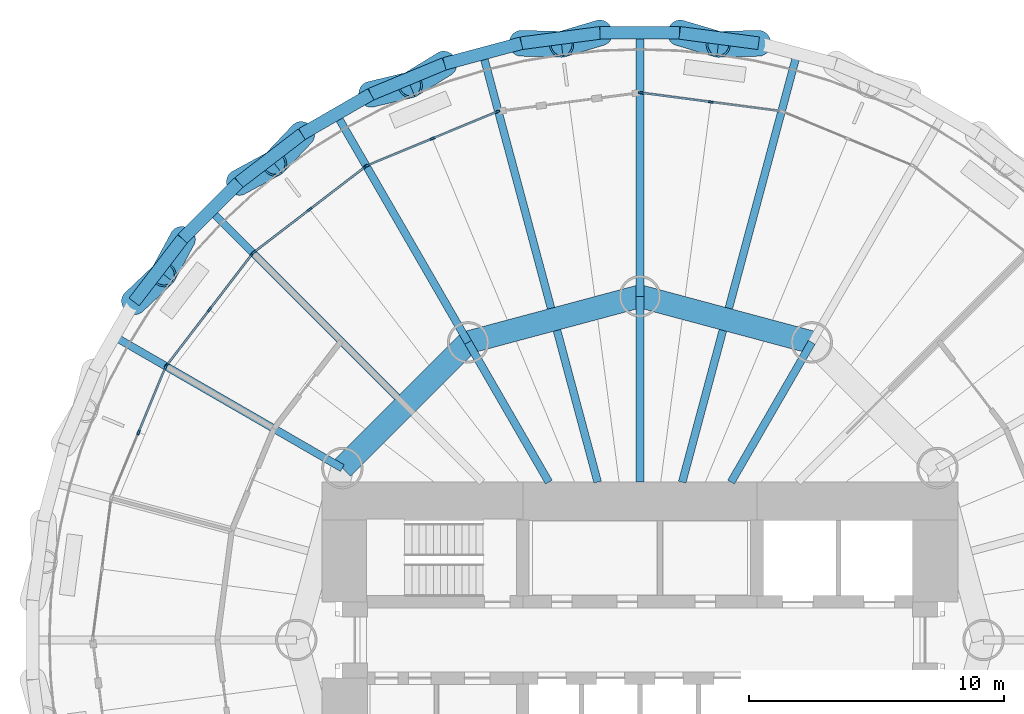
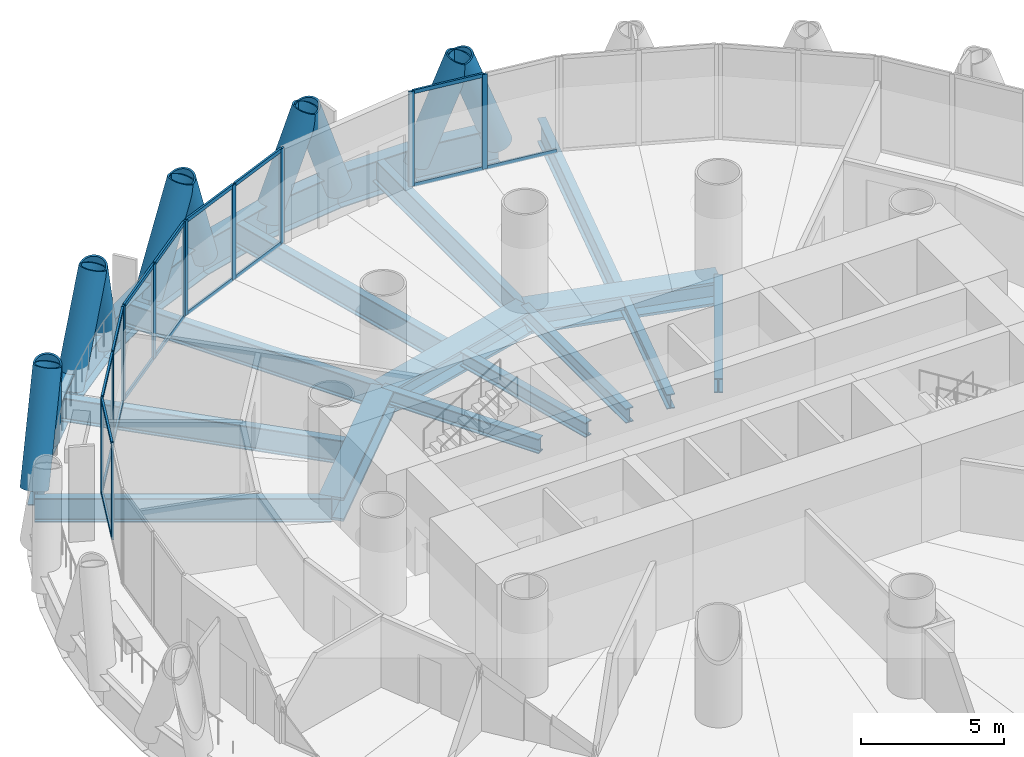
# One storey, part 6 of 15: 40 members, 23 beams, 5 elements without a shape of their own.
"""IFC4 building model written with IfcOpenShell, lengths in metres."""

from ifc_helpers import new_model, si_unit, direction, frame, origin, origin_2d, place, context, subcontext, project, spatial, rectangle, hollow_circle, i_section, extrude, material, material_profile, profile_set, type_object, element, aggregate, save


model = new_model("IFC4")

# Units and contexts
model_context = context("Model", 3, precision=1e-05, world=origin(), true_north=direction((0.0, 1.0)))
body_context = subcontext(model_context, "Body", "Model", "MODEL_VIEW")
ifc_project = project(units=[si_unit("LENGTHUNIT", "METRE"), si_unit("AREAUNIT", "SQUARE_METRE"), si_unit("VOLUMEUNIT", "CUBIC_METRE"), si_unit("PLANEANGLEUNIT", "RADIAN"), si_unit("MASSUNIT", "GRAM", prefix="KILO")], contexts=[model_context])

# Site, building, storey
site_placement = place(None, origin())
site = spatial("IfcSite", under=ifc_project, at=site_placement, CompositionType="ELEMENT")
building_placement = place(site_placement, origin())
building = spatial("IfcBuilding", under=site, at=building_placement, Name="Qaws Media Tower", CompositionType="ELEMENT")
storey_placement = place(building_placement, frame((0.0, 0.0, 198.199951171875)))
storey = spatial("IfcBuildingStorey", under=building, at=storey_placement, Name="L45", CompositionType="ELEMENT", Elevation=198.199951171875)

# Curtain wall, members
ifc_material_1 = material(Name="Aluminium and clear glass", Category="aluminium")
curtain_wall_type = type_object("IfcCurtainWallType", Name="Unitised curtain wall CW-C", PredefinedType="NOTDEFINED", material=ifc_material_1)
curtain_wall_1_placement = place(storey_placement, origin())
curtain_wall_1 = element("IfcCurtainWall", 1, at=curtain_wall_1_placement, inside=storey, type_object=curtain_wall_type, Name="CWC curtain wall L45-06", PredefinedType="NOTDEFINED")
ifc_material_2 = material(Name="Aluminium mullion", Category="aluminium")
ifc_material_profile_1 = material_profile(ifc_material_2, rectangle(XDim=0.080078125, YDim=0.199951171875, at=origin_2d()), Name="80x200")
ifc_profile_set_1 = profile_set([ifc_material_profile_1], Name="Aluminium mullion")
member_type_1 = type_object("IfcMemberType", Name="Curtain wall mullion 80x200", PredefinedType="MULLION", material=ifc_profile_set_1)
member_1_placement = place(storey_placement, frame((62.7822265625, 71.1337890625, 0.0), z_axis=(0.0, 0.0, 1.0), x_axis=(-0.130526249496, -0.991444853833, 0.0)))
member_1 = element("IfcMember", 2, at=member_1_placement, type_object=member_type_1, Name="CWC mullion 2", PredefinedType="MULLION", context=body_context, shape_type="SweptSolid", body=[
    extrude(rectangle(XDim=0.080078125, YDim=0.199951171875, at=origin_2d()), origin(), (0.0, 0.0, 1.0), 4.0400390625),
])
member_2_placement = place(storey_placement, frame((60.03955078125, 71.494873046875, 0.0), z_axis=(0.0, 0.0, 1.0), x_axis=(-0.130526249496, -0.991444853833, 0.0)))
member_2 = element("IfcMember", 3, at=member_2_placement, type_object=member_type_1, Name="CWC mullion 3", PredefinedType="MULLION", context=body_context, shape_type="SweptSolid", body=[
    extrude(rectangle(XDim=0.080078125, YDim=0.199951171875, at=origin_2d()), origin(), (0.0, 0.0, 1.0), 4.0400390625),
])

curtain_wall_2_placement = place(storey_placement, origin())
curtain_wall_2 = element("IfcCurtainWall", 4, at=curtain_wall_2_placement, inside=storey, type_object=curtain_wall_type, Name="CWC curtain wall L45-08", PredefinedType="NOTDEFINED")
member_3_placement = place(storey_placement, frame((54.3984375, 70.752197265625, 0.0), z_axis=(0.0, 0.0, 1.0), x_axis=(0.382683390022, -0.923879550051, 0.0)))
member_3 = element("IfcMember", 5, at=member_3_placement, type_object=member_type_1, Name="CWC mullion 1", PredefinedType="MULLION", context=body_context, shape_type="SweptSolid", body=[
    extrude(rectangle(XDim=0.080078125, YDim=0.199951171875, at=origin_2d()), origin(), (0.0, 0.0, 1.0), 4.0400390625),
])
member_4_placement = place(storey_placement, frame((51.8427734375, 69.693359375, 0.0), z_axis=(0.0, 0.0, 1.0), x_axis=(0.382683390022, -0.923879550051, 0.0)))
member_4 = element("IfcMember", 6, at=member_4_placement, type_object=member_type_1, Name="CWC mullion 2", PredefinedType="MULLION", context=body_context, shape_type="SweptSolid", body=[
    extrude(rectangle(XDim=0.080078125, YDim=0.199951171875, at=origin_2d()), origin(), (0.0, 0.0, 1.0), 4.0400390625),
])
member_5_placement = place(storey_placement, frame((49.286865234375, 68.634765625, 0.0), z_axis=(0.0, 0.0, 1.0), x_axis=(0.382683390022, -0.923879550051, 0.0)))
member_5 = element("IfcMember", 7, at=member_5_placement, type_object=member_type_1, Name="CWC mullion 3", PredefinedType="MULLION", context=body_context, shape_type="SweptSolid", body=[
    extrude(rectangle(XDim=0.080078125, YDim=0.199951171875, at=origin_2d()), origin(), (0.0, 0.0, 1.0), 4.0400390625),
])

curtain_wall_3_placement = place(storey_placement, origin())
curtain_wall_3 = element("IfcCurtainWall", 8, at=curtain_wall_3_placement, inside=storey, type_object=curtain_wall_type, Name="CWC curtain wall L45-09", PredefinedType="NOTDEFINED")
member_6_placement = place(storey_placement, frame((49.21826171875, 68.59521484375, 0.0), z_axis=(0.0, 0.0, 1.0), x_axis=(0.608761368139, -0.793353386998, 0.0)))
member_6 = element("IfcMember", 9, at=member_6_placement, type_object=member_type_1, Name="CWC mullion 1", PredefinedType="MULLION", context=body_context, shape_type="SweptSolid", body=[
    extrude(rectangle(XDim=0.080078125, YDim=0.199951171875, at=origin_2d()), origin(), (0.0, 0.0, 1.0), 4.0400390625),
])
member_7_placement = place(storey_placement, frame((47.023681640625, 66.9111328125, 0.0), z_axis=(0.0, 0.0, 1.0), x_axis=(0.608761368139, -0.793353386998, 0.0)))
member_7 = element("IfcMember", 10, at=member_7_placement, type_object=member_type_1, Name="CWC mullion 2", PredefinedType="MULLION", context=body_context, shape_type="SweptSolid", body=[
    extrude(rectangle(XDim=0.080078125, YDim=0.199951171875, at=origin_2d()), origin(), (0.0, 0.0, 1.0), 4.0400390625),
])
member_8_placement = place(storey_placement, frame((44.828857421875, 65.22705078125, 0.0), z_axis=(0.0, 0.0, 1.0), x_axis=(0.608761368139, -0.793353386998, 0.0)))
member_8 = element("IfcMember", 11, at=member_8_placement, type_object=member_type_1, Name="CWC mullion 3", PredefinedType="MULLION", context=body_context, shape_type="SweptSolid", body=[
    extrude(rectangle(XDim=0.080078125, YDim=0.199951171875, at=origin_2d()), origin(), (0.0, 0.0, 1.0), 4.0400390625),
])

curtain_wall_4_placement = place(storey_placement, origin())
curtain_wall_4 = element("IfcCurtainWall", 12, at=curtain_wall_4_placement, inside=storey, type_object=curtain_wall_type, Name="CWC curtain wall L45-10", PredefinedType="NOTDEFINED")
member_9_placement = place(storey_placement, frame((44.77294921875, 65.171142578125, 0.0), z_axis=(0.0, 0.0, 1.0), x_axis=(0.793353386998, -0.608761368139, 0.0)))
member_9 = element("IfcMember", 13, at=member_9_placement, type_object=member_type_1, Name="CWC mullion 1", PredefinedType="MULLION", context=body_context, shape_type="SweptSolid", body=[
    extrude(rectangle(XDim=0.080078125, YDim=0.199951171875, at=origin_2d()), origin(), (0.0, 0.0, 1.0), 4.0400390625),
])
member_10_placement = place(storey_placement, frame((43.0888671875, 62.976318359375, 0.0), z_axis=(0.0, 0.0, 1.0), x_axis=(0.793353386998, -0.608761368139, 0.0)))
member_10 = element("IfcMember", 14, at=member_10_placement, type_object=member_type_1, Name="CWC mullion 2", PredefinedType="MULLION", context=body_context, shape_type="SweptSolid", body=[
    extrude(rectangle(XDim=0.080078125, YDim=0.199951171875, at=origin_2d()), origin(), (0.0, 0.0, 1.0), 4.0400390625),
])
member_11_placement = place(storey_placement, frame((41.40478515625, 60.78173828125, 0.0), z_axis=(0.0, 0.0, 1.0), x_axis=(0.793353386998, -0.608761368139, 0.0)))
member_11 = element("IfcMember", 15, at=member_11_placement, type_object=member_type_1, Name="CWC mullion 3", PredefinedType="MULLION", context=body_context, shape_type="SweptSolid", body=[
    extrude(rectangle(XDim=0.080078125, YDim=0.199951171875, at=origin_2d()), origin(), (0.0, 0.0, 1.0), 4.0400390625),
])

curtain_wall_5_placement = place(storey_placement, origin())
curtain_wall_5 = element("IfcCurtainWall", 16, at=curtain_wall_5_placement, inside=storey, type_object=curtain_wall_type, Name="CWC curtain wall L45-11", PredefinedType="NOTDEFINED")
member_12_placement = place(storey_placement, frame((41.365234375, 60.713134765625, 0.0), z_axis=(0.0, 0.0, 1.0), x_axis=(0.923879550051, -0.382683390022, 0.0)))
member_12 = element("IfcMember", 17, at=member_12_placement, type_object=member_type_1, Name="CWC mullion 1", PredefinedType="MULLION", context=body_context, shape_type="SweptSolid", body=[
    extrude(rectangle(XDim=0.080078125, YDim=0.199951171875, at=origin_2d()), origin(), (0.0, 0.0, 1.0), 4.0400390625),
])
member_13_placement = place(storey_placement, frame((40.306640625, 58.1572265625, 0.0), z_axis=(0.0, 0.0, 1.0), x_axis=(0.923879550051, -0.382683390022, 0.0)))
member_13 = element("IfcMember", 18, at=member_13_placement, type_object=member_type_1, Name="CWC mullion 2", PredefinedType="MULLION", context=body_context, shape_type="SweptSolid", body=[
    extrude(rectangle(XDim=0.080078125, YDim=0.199951171875, at=origin_2d()), origin(), (0.0, 0.0, 1.0), 4.0400390625),
])

# Member
ifc_material_3 = material(Name="Aluminium transom", Category="aluminium")
ifc_material_profile_2 = material_profile(ifc_material_3, rectangle(XDim=0.080078125, YDim=0.159912109375, at=origin_2d()), Name="80x160")
ifc_profile_set_2 = profile_set([ifc_material_profile_2], Name="Aluminium transom")
member_type_2 = type_object("IfcMemberType", Name="Curtain wall transom 80x160", PredefinedType="USERDEFINED", material=ifc_profile_set_2)
member_14_placement = place(storey_placement, frame((65.4853515625, 70.77783203125, 0.0400390625), z_axis=(-0.991447179301, 0.130508584607, 0.0), x_axis=(-0.130508584607, -0.991447179301, 0.0)))
member_14 = element("IfcMember", 19, at=member_14_placement, type_object=member_type_2, Name="CWC transom 1.1", ObjectType="TRANSOM", PredefinedType="USERDEFINED", context=body_context, shape_type="SweptSolid", body=[
    extrude(rectangle(XDim=0.080078125, YDim=0.159912109375, at=origin_2d()), origin(), (0.0, 0.0, 1.0), 2.686279296875),
])

member_15_placement = place(storey_placement, frame((62.74267578125, 71.138916015625, 0.0400390625), z_axis=(-0.991447179301, 0.130508584607, 0.0), x_axis=(-0.130508584607, -0.991447179301, 0.0)))
member_15 = element("IfcMember", 20, at=member_15_placement, type_object=member_type_2, Name="CWC transom 2.1", ObjectType="TRANSOM", PredefinedType="USERDEFINED", context=body_context, shape_type="SweptSolid", body=[
    extrude(rectangle(XDim=0.080078125, YDim=0.159912109375, at=origin_2d()), origin(), (0.0, 0.0, 1.0), 2.686279296875),
])

member_16_placement = place(storey_placement, frame((62.74267578125, 71.138916015625, 4.0), z_axis=(-0.991447179301, 0.130508584607, 0.0), x_axis=(-0.130508584607, -0.991447179301, 0.0)))
member_16 = element("IfcMember", 21, at=member_16_placement, type_object=member_type_2, Name="CWC transom 2.2", ObjectType="TRANSOM", PredefinedType="USERDEFINED", context=body_context, shape_type="SweptSolid", body=[
    extrude(rectangle(XDim=0.080078125, YDim=0.159912109375, at=origin_2d()), origin(), (0.0, 0.0, 1.0), 2.686279296875),
])

aggregate(curtain_wall_1, [member_1, member_2, member_14, member_15, member_16])

member_17_placement = place(storey_placement, frame((54.361572265625, 70.73681640625, 0.0400390625), z_axis=(-0.923876161176, -0.382691571386, 0.0), x_axis=(0.382691571386, -0.923876161176, 0.0)))
member_17 = element("IfcMember", 22, at=member_17_placement, type_object=member_type_2, Name="CWC transom 1.1", ObjectType="TRANSOM", PredefinedType="USERDEFINED", context=body_context, shape_type="SweptSolid", body=[
    extrude(rectangle(XDim=0.080078125, YDim=0.159912109375, at=origin_2d()), origin(), (0.0, 0.0, 1.0), 2.6865234375),
])

member_18_placement = place(storey_placement, frame((54.361572265625, 70.73681640625, 4.0), z_axis=(-0.923876161176, -0.382691571386, 0.0), x_axis=(0.382691571386, -0.923876161176, 0.0)))
member_18 = element("IfcMember", 23, at=member_18_placement, type_object=member_type_2, Name="CWC transom 1.2", ObjectType="TRANSOM", PredefinedType="USERDEFINED", context=body_context, shape_type="SweptSolid", body=[
    extrude(rectangle(XDim=0.080078125, YDim=0.159912109375, at=origin_2d()), origin(), (0.0, 0.0, 1.0), 2.6865234375),
])

member_19_placement = place(storey_placement, frame((51.8056640625, 69.67822265625, 0.0400390625), z_axis=(-0.923862850009, -0.382723705006, 0.0), x_axis=(0.382723705006, -0.923862850009, 0.0)))
member_19 = element("IfcMember", 24, at=member_19_placement, type_object=member_type_2, Name="CWC transom 2.1", ObjectType="TRANSOM", PredefinedType="USERDEFINED", context=body_context, shape_type="SweptSolid", body=[
    extrude(rectangle(XDim=0.080078125, YDim=0.159912109375, at=origin_2d()), origin(), (0.0, 0.0, 1.0), 2.686279296875),
])

member_20_placement = place(storey_placement, frame((51.8056640625, 69.67822265625, 4.0), z_axis=(-0.923862850009, -0.382723705006, 0.0), x_axis=(0.382723705006, -0.923862850009, 0.0)))
member_20 = element("IfcMember", 25, at=member_20_placement, type_object=member_type_2, Name="CWC transom 2.2", ObjectType="TRANSOM", PredefinedType="USERDEFINED", context=body_context, shape_type="SweptSolid", body=[
    extrude(rectangle(XDim=0.080078125, YDim=0.159912109375, at=origin_2d()), origin(), (0.0, 0.0, 1.0), 2.686279296875),
])

aggregate(curtain_wall_2, [member_3, member_4, member_5, member_17, member_18, member_19, member_20])

member_21_placement = place(storey_placement, frame((49.1865234375, 68.57080078125, 0.0400390625), z_axis=(-0.793353220812, -0.608761584717, 0.0), x_axis=(0.608761584717, -0.793353220812, 0.0)))
member_21 = element("IfcMember", 26, at=member_21_placement, type_object=member_type_2, Name="CWC transom 1.1", ObjectType="TRANSOM", PredefinedType="USERDEFINED", context=body_context, shape_type="SweptSolid", body=[
    extrude(rectangle(XDim=0.080078125, YDim=0.159912109375, at=origin_2d()), origin(), (0.0, 0.0, 1.0), 2.686279296875),
])

member_22_placement = place(storey_placement, frame((49.1865234375, 68.57080078125, 4.0), z_axis=(-0.793353220812, -0.608761584717, 0.0), x_axis=(0.608761584717, -0.793353220812, 0.0)))
member_22 = element("IfcMember", 27, at=member_22_placement, type_object=member_type_2, Name="CWC transom 1.2", ObjectType="TRANSOM", PredefinedType="USERDEFINED", context=body_context, shape_type="SweptSolid", body=[
    extrude(rectangle(XDim=0.080078125, YDim=0.159912109375, at=origin_2d()), origin(), (0.0, 0.0, 1.0), 2.686279296875),
])

member_23_placement = place(storey_placement, frame((46.991943359375, 66.88671875, 0.0400390625), z_axis=(-0.793386899068, -0.608717691863, 0.0), x_axis=(0.608717691863, -0.793386899068, 0.0)))
member_23 = element("IfcMember", 28, at=member_23_placement, type_object=member_type_2, Name="CWC transom 2.1", ObjectType="TRANSOM", PredefinedType="USERDEFINED", context=body_context, shape_type="SweptSolid", body=[
    extrude(rectangle(XDim=0.080078125, YDim=0.159912109375, at=origin_2d()), origin(), (0.0, 0.0, 1.0), 2.686279296875),
])

member_24_placement = place(storey_placement, frame((46.991943359375, 66.88671875, 4.0), z_axis=(-0.793386899068, -0.608717691863, 0.0), x_axis=(0.608717691863, -0.793386899068, 0.0)))
member_24 = element("IfcMember", 29, at=member_24_placement, type_object=member_type_2, Name="CWC transom 2.2", ObjectType="TRANSOM", PredefinedType="USERDEFINED", context=body_context, shape_type="SweptSolid", body=[
    extrude(rectangle(XDim=0.080078125, YDim=0.159912109375, at=origin_2d()), origin(), (0.0, 0.0, 1.0), 2.686279296875),
])

aggregate(curtain_wall_3, [member_6, member_7, member_8, member_21, member_22, member_23, member_24])

member_25_placement = place(storey_placement, frame((44.74853515625, 65.139404296875, 0.0400390625), z_axis=(-0.608717691863, -0.793386899068, 0.0), x_axis=(0.793386899068, -0.608717691863, 0.0)))
member_25 = element("IfcMember", 30, at=member_25_placement, type_object=member_type_2, Name="CWC transom 1.1", ObjectType="TRANSOM", PredefinedType="USERDEFINED", context=body_context, shape_type="SweptSolid", body=[
    extrude(rectangle(XDim=0.080078125, YDim=0.159912109375, at=origin_2d()), origin(), (0.0, 0.0, 1.0), 2.686279296875),
])

member_26_placement = place(storey_placement, frame((44.74853515625, 65.139404296875, 4.0), z_axis=(-0.608717691863, -0.793386899068, 0.0), x_axis=(0.793386899068, -0.608717691863, 0.0)))
member_26 = element("IfcMember", 31, at=member_26_placement, type_object=member_type_2, Name="CWC transom 1.2", ObjectType="TRANSOM", PredefinedType="USERDEFINED", context=body_context, shape_type="SweptSolid", body=[
    extrude(rectangle(XDim=0.080078125, YDim=0.159912109375, at=origin_2d()), origin(), (0.0, 0.0, 1.0), 2.686279296875),
])

member_27_placement = place(storey_placement, frame((43.064453125, 62.944580078125, 0.0400390625), z_axis=(-0.608761584717, -0.793353220812, 0.0), x_axis=(0.793353220812, -0.608761584717, 0.0)))
member_27 = element("IfcMember", 32, at=member_27_placement, type_object=member_type_2, Name="CWC transom 2.1", ObjectType="TRANSOM", PredefinedType="USERDEFINED", context=body_context, shape_type="SweptSolid", body=[
    extrude(rectangle(XDim=0.080078125, YDim=0.159912109375, at=origin_2d()), origin(), (0.0, 0.0, 1.0), 2.686279296875),
])

member_28_placement = place(storey_placement, frame((43.064453125, 62.944580078125, 4.0), z_axis=(-0.608761584717, -0.793353220812, 0.0), x_axis=(0.793353220812, -0.608761584717, 0.0)))
member_28 = element("IfcMember", 33, at=member_28_placement, type_object=member_type_2, Name="CWC transom 2.2", ObjectType="TRANSOM", PredefinedType="USERDEFINED", context=body_context, shape_type="SweptSolid", body=[
    extrude(rectangle(XDim=0.080078125, YDim=0.159912109375, at=origin_2d()), origin(), (0.0, 0.0, 1.0), 2.686279296875),
])

aggregate(curtain_wall_4, [member_9, member_10, member_11, member_25, member_26, member_27, member_28])

member_29_placement = place(storey_placement, frame((41.349853515625, 60.676025390625, 0.0400390625), z_axis=(-0.382723705006, -0.923862850009, 0.0), x_axis=(0.923862850009, -0.382723705006, 0.0)))
member_29 = element("IfcMember", 34, at=member_29_placement, type_object=member_type_2, Name="CWC transom 1.1", ObjectType="TRANSOM", PredefinedType="USERDEFINED", context=body_context, shape_type="SweptSolid", body=[
    extrude(rectangle(XDim=0.080078125, YDim=0.159912109375, at=origin_2d()), origin(), (0.0, 0.0, 1.0), 2.686279296875),
])

member_30_placement = place(storey_placement, frame((41.349853515625, 60.676025390625, 4.0), z_axis=(-0.382723705006, -0.923862850009, 0.0), x_axis=(0.923862850009, -0.382723705006, 0.0)))
member_30 = element("IfcMember", 35, at=member_30_placement, type_object=member_type_2, Name="CWC transom 1.2", ObjectType="TRANSOM", PredefinedType="USERDEFINED", context=body_context, shape_type="SweptSolid", body=[
    extrude(rectangle(XDim=0.080078125, YDim=0.159912109375, at=origin_2d()), origin(), (0.0, 0.0, 1.0), 2.686279296875),
])

aggregate(curtain_wall_5, [member_12, member_13, member_29, member_30])

# Members
ifc_material_4 = material(Name="Steel S460", Category="steel")
ifc_material_profile_3 = material_profile(ifc_material_4, hollow_circle(Radius=0.508056640625, WallThickness=0.070068359375, at=origin_2d()), Name="CHS 1016x70")
ifc_profile_set_3 = profile_set([ifc_material_profile_3], Name="Steel S460")
member_type_3 = type_object("IfcMemberType", Name="Diagrid member CHS 1016x70", PredefinedType="USERDEFINED", material=ifc_profile_set_3)
for number, where, z_axis, x_axis, name in (
    (36, (64.66259765625, 73.440673828125, -0.909912109375), (-0.352532001786, -0.009464676487, 0.935751894263), (0.026838038008, -0.999639794984, 0.0), "DG3 diagrid L45 A06"),
    (37, (58.436767578125, 73.848876953125, -0.909912109375), (-0.338014682134, -0.100414403479, 0.935768679876), (0.284771064852, -0.958595556334, 0.0), "DG3 diagrid L45 A07"),
    (38, (61.563232421875, 73.848876953125, -0.909912109375), (0.338014682134, -0.100414403479, 0.935768679876), (0.284771064852, 0.958595556334, 0.0), "DG3 diagrid L45 B07"),
    (39, (52.317626953125, 72.631591796875, -0.909912109375), (-0.300531719733, -0.184507437707, 0.935755144717), (0.523202112796, -0.85220863007, 0.0), "DG3 diagrid L45 A08"),
    (40, (55.33740234375, 73.440673828125, -0.909912109375), (0.352532001786, -0.009464676487, 0.935751894263), (0.026838038008, 0.999639794984, 0.0), "DG3 diagrid L45 B08"),
    (41, (46.721923828125, 69.8720703125, -0.909912109375), (-0.24254755553, -0.255983134408, 0.935758151557), (0.725899989111, -0.687800265926, 0.0), "DG3 diagrid L45 A09"),
    (42, (49.42919921875, 71.435302734375, -0.909912109375), (0.343009853976, 0.082026460481, 0.935743501103), (-0.232579556178, 0.972577374839, 0.0), "DG3 diagrid L45 B09"),
    (43, (42.031005859375, 65.75830078125, -0.909912109375), (-0.168025631543, -0.310050534086, 0.935754269805), (0.879195053655, -0.476462021182, 0.0), "DG3 diagrid L45 A10"),
    (44, (44.24169921875, 67.968994140625, -0.909912109375), (0.310050534086, 0.168025631543, 0.935754269805), (-0.476462021182, 0.879195053655, 0.0), "DG3 diagrid L45 B10"),
    (45, (40.1279296875, 63.278076171875, -0.909912109375), (0.255983134408, 0.24254755553, 0.935758151557), (-0.687800265926, 0.725899989111, 0.0), "DG3 diagrid L45 B11"),
):
    element("IfcMember", number, at=place(storey_placement, frame(where, z_axis=z_axis, x_axis=x_axis)), inside=storey, type_object=member_type_3, Name=name, ObjectType="DIAGRID", PredefinedType="USERDEFINED", context=body_context, shape_type="SweptSolid", body=[
        extrude(hollow_circle(Radius=0.508056640625, WallThickness=0.070068359375, at=origin_2d()), origin(), (0.0, 0.0, 1.0), 4.48828125),
    ])

# Beams
ifc_material_5 = material(Name="Steel S460", Category="steel")
ifc_material_profile_4 = material_profile(ifc_material_5, i_section(OverallWidth=0.5, OverallDepth=1.5, WebThickness=0.02001953125, FlangeThickness=0.0400390625, at=origin_2d()), Name="PG 1500x500")
ifc_profile_set_4 = profile_set([ifc_material_profile_4], Name="Steel S460")
beam_type_1 = type_object("IfcBeamType", Name="Edge ring beam PG 1500x500", PredefinedType="BEAM", material=ifc_profile_set_4)
beam_1_placement = place(storey_placement, frame((64.66259765625, 73.440673828125, -0.909912109375), z_axis=(-0.991438073109, 0.130577743855, 0.0), x_axis=(-0.130577743855, -0.991438073109, 0.0)))
element("IfcBeam", 46, at=beam_1_placement, inside=storey, type_object=beam_type_1, Name="RB4 edge ring beam L45-11", PredefinedType="BEAM", context=body_context, shape_type="SweptSolid", body=[
    extrude(i_section(OverallWidth=0.5, OverallDepth=1.5, WebThickness=0.02001953125, FlangeThickness=0.0400390625, at=origin_2d()), origin(), (0.0, 0.0, 1.0), 3.126220703125),
])
beam_2_placement = place(storey_placement, frame((61.563232421875, 73.848876953125, -0.909912109375), z_axis=(-1.0, 0.0, 0.0), x_axis=(0.0, -1.0, 0.0)))
element("IfcBeam", 47, at=beam_2_placement, inside=storey, type_object=beam_type_1, Name="RB4 edge ring beam L45-12", PredefinedType="BEAM", context=body_context, shape_type="SweptSolid", body=[
    extrude(i_section(OverallWidth=0.5, OverallDepth=1.5, WebThickness=0.02001953125, FlangeThickness=0.0400390625, at=origin_2d()), origin(), (0.0, 0.0, 1.0), 3.12646484375),
])
for number, where, z_axis, x_axis, name in (
    (48, (58.436767578125, 73.848876953125, -0.909912109375), (-0.991438073109, -0.130577743855, 0.0), (0.130577743855, -0.991438073109, 0.0), "RB4 edge ring beam L45-13"),
    (49, (55.33740234375, 73.440673828125, -0.909912109375), (-0.965930971662, -0.258799841546, 0.0), (0.258799841546, -0.965930971662, 0.0), "RB4 edge ring beam L45-14"),
):
    element("IfcBeam", number, at=place(storey_placement, frame(where, z_axis=z_axis, x_axis=x_axis)), inside=storey, type_object=beam_type_1, Name=name, PredefinedType="BEAM", context=body_context, shape_type="SweptSolid", body=[
        extrude(i_section(OverallWidth=0.5, OverallDepth=1.5, WebThickness=0.02001953125, FlangeThickness=0.0400390625, at=origin_2d()), origin(), (0.0, 0.0, 1.0), 3.126220703125),
    ])
beam_3_placement = place(storey_placement, frame((52.317626953125, 72.631591796875, -0.909912109375), z_axis=(-0.923895011115, -0.382646061572, 0.0), x_axis=(0.382646061572, -0.923895011115, 0.0)))
element("IfcBeam", 50, at=beam_3_placement, inside=storey, type_object=beam_type_1, Name="RB4 edge ring beam L45-15", PredefinedType="BEAM", context=body_context, shape_type="SweptSolid", body=[
    extrude(i_section(OverallWidth=0.5, OverallDepth=1.5, WebThickness=0.02001953125, FlangeThickness=0.0400390625, at=origin_2d()), origin(), (0.0, 0.0, 1.0), 3.12646484375),
])
for number, where, z_axis, x_axis, name in (
    (51, (49.42919921875, 71.435302734375, -0.909912109375), (-0.86599960537, -0.500044681503, 0.0), (0.500044681503, -0.86599960537, 0.0), "RB4 edge ring beam L45-16"),
    (52, (46.721923828125, 69.8720703125, -0.909912109375), (-0.793363707434, -0.608747918048, 0.0), (0.608747918048, -0.793363707434, 0.0), "RB4 edge ring beam L45-17"),
):
    element("IfcBeam", number, at=place(storey_placement, frame(where, z_axis=z_axis, x_axis=x_axis)), inside=storey, type_object=beam_type_1, Name=name, PredefinedType="BEAM", context=body_context, shape_type="SweptSolid", body=[
        extrude(i_section(OverallWidth=0.5, OverallDepth=1.5, WebThickness=0.02001953125, FlangeThickness=0.0400390625, at=origin_2d()), origin(), (0.0, 0.0, 1.0), 3.126220703125),
    ])
beam_4_placement = place(storey_placement, frame((44.24169921875, 67.968994140625, -0.909912109375), z_axis=(-0.707106781187, -0.707106781187, 0.0), x_axis=(0.707106781187, -0.707106781187, 0.0)))
element("IfcBeam", 53, at=beam_4_placement, inside=storey, type_object=beam_type_1, Name="RB4 edge ring beam L45-18", PredefinedType="BEAM", context=body_context, shape_type="SweptSolid", body=[
    extrude(i_section(OverallWidth=0.5, OverallDepth=1.5, WebThickness=0.02001953125, FlangeThickness=0.0400390625, at=origin_2d()), origin(), (0.0, 0.0, 1.0), 3.12646484375),
])
beam_5_placement = place(storey_placement, frame((42.031005859375, 65.75830078125, -0.909912109375), z_axis=(-0.608747918048, -0.793363707434, 0.0), x_axis=(0.793363707434, -0.608747918048, 0.0)))
element("IfcBeam", 54, at=beam_5_placement, inside=storey, type_object=beam_type_1, Name="RB4 edge ring beam L45-19", PredefinedType="BEAM", context=body_context, shape_type="SweptSolid", body=[
    extrude(i_section(OverallWidth=0.5, OverallDepth=1.5, WebThickness=0.02001953125, FlangeThickness=0.0400390625, at=origin_2d()), origin(), (0.0, 0.0, 1.0), 3.126220703125),
])
ifc_material_6 = material(Name="Steel S460", Category="steel")
ifc_material_profile_5 = material_profile(ifc_material_6, i_section(OverallWidth=0.89990234375, OverallDepth=1.0, WebThickness=0.044921875, FlangeThickness=0.110107421875, at=origin_2d()), Name="PG 1000x900")
ifc_profile_set_5 = profile_set([ifc_material_profile_5], Name="Steel S460")
beam_type_2 = type_object("IfcBeamType", Name="Inner ring girder PG 1000x900", PredefinedType="BEAM", material=ifc_profile_set_5)
for number, where, z_axis, x_axis, name in (
    (55, (66.75, 61.69140625, -0.659912109375), (-0.965928090778, 0.258810593767, 0.0), (-0.258810593767, -0.965928090778, 0.0), "B3 inner ring beam L45 I03-I04"),
    (56, (60.0, 63.5, -0.659912109375), (-0.965928090778, -0.258810593767, 0.0), (0.258810593767, -0.965928090778, 0.0), "B3 inner ring beam L45 I04-I05"),
):
    element("IfcBeam", number, at=place(storey_placement, frame(where, z_axis=z_axis, x_axis=x_axis)), inside=storey, type_object=beam_type_2, Name=name, PredefinedType="BEAM", context=body_context, shape_type="SweptSolid", body=[
        extrude(i_section(OverallWidth=0.89990234375, OverallDepth=1.0, WebThickness=0.044921875, FlangeThickness=0.110107421875, at=origin_2d()), origin(), (0.0, 0.0, 1.0), 6.988037109375),
    ])
beam_6_placement = place(storey_placement, frame((53.25, 61.69140625, -0.659912109375), z_axis=(-0.707106781187, -0.707106781187, 0.0), x_axis=(0.707106781187, -0.707106781187, 0.0)))
element("IfcBeam", 57, at=beam_6_placement, inside=storey, type_object=beam_type_2, Name="B3 inner ring beam L45 I05-I06", PredefinedType="BEAM", context=body_context, shape_type="SweptSolid", body=[
    extrude(i_section(OverallWidth=0.89990234375, OverallDepth=1.0, WebThickness=0.044921875, FlangeThickness=0.110107421875, at=origin_2d()), origin(), (0.0, 0.0, 1.0), 6.98828125),
])
ifc_material_7 = material(Name="Steel S355", Category="steel")
ifc_material_profile_6 = material_profile(ifc_material_7, i_section(OverallWidth=0.302001953125, OverallDepth=1.008056640625, WebThickness=0.02099609375, FlangeThickness=0.0400390625, FilletRadius=0.030029296875, at=origin_2d()), Name="HE 1000 M")
ifc_profile_set_6 = profile_set([ifc_material_profile_6], Name="Steel S355")
beam_type_3 = type_object("IfcBeamType", Name="Radial beam HE 1000 M", PredefinedType="BEAM", material=ifc_profile_set_6)
beam_7_placement = place(storey_placement, frame((63.491455078125, 63.0302734375, -0.6640625), z_axis=(0.25882718776, 0.965923644434, 0.0), x_axis=(-0.965923644434, 0.25882718776, 0.0)))
element("IfcBeam", 58, at=beam_7_placement, inside=storey, type_object=beam_type_3, Name="B1 radial beam L45 06", PredefinedType="BEAM", context=body_context, shape_type="SweptSolid", body=[
    extrude(i_section(OverallWidth=0.302001953125, OverallDepth=1.008056640625, WebThickness=0.02099609375, FlangeThickness=0.0400390625, FilletRadius=0.030029296875, at=origin_2d()), origin(), (0.0, 0.0, 1.0), 10.35888671875),
])
beam_8_placement = place(storey_placement, frame((60.0, 63.5, -0.6640625), z_axis=(0.0, 1.0, 0.0), x_axis=(-1.0, 0.0, 0.0)))
element("IfcBeam", 59, at=beam_8_placement, inside=storey, type_object=beam_type_3, Name="B1 radial beam L45 07", PredefinedType="BEAM", context=body_context, shape_type="SweptSolid", body=[
    extrude(i_section(OverallWidth=0.302001953125, OverallDepth=1.008056640625, WebThickness=0.02099609375, FlangeThickness=0.0400390625, FilletRadius=0.030029296875, at=origin_2d()), origin(), (0.0, 0.0, 1.0), 10.348876953125),
])
beam_9_placement = place(storey_placement, frame((56.508544921875, 63.0302734375, -0.6640625), z_axis=(-0.25882718776, 0.965923644434, 0.0), x_axis=(-0.965923644434, -0.25882718776, 0.0)))
element("IfcBeam", 60, at=beam_9_placement, inside=storey, type_object=beam_type_3, Name="B1 radial beam L45 08", PredefinedType="BEAM", context=body_context, shape_type="SweptSolid", body=[
    extrude(i_section(OverallWidth=0.302001953125, OverallDepth=1.008056640625, WebThickness=0.02099609375, FlangeThickness=0.0400390625, FilletRadius=0.030029296875, at=origin_2d()), origin(), (0.0, 0.0, 1.0), 10.35888671875),
])
beam_10_placement = place(storey_placement, frame((53.25, 61.69140625, -0.6640625), z_axis=(-0.499990651121, 0.866030801295, 0.0), x_axis=(-0.866030801295, -0.499990651121, 0.0)))
element("IfcBeam", 61, at=beam_10_placement, inside=storey, type_object=beam_type_3, Name="B1 radial beam L45 09", PredefinedType="BEAM", context=body_context, shape_type="SweptSolid", body=[
    extrude(i_section(OverallWidth=0.302001953125, OverallDepth=1.008056640625, WebThickness=0.02099609375, FlangeThickness=0.0400390625, FilletRadius=0.030029296875, at=origin_2d()), origin(), (0.0, 0.0, 1.0), 10.348876953125),
])
beam_11_placement = place(storey_placement, frame((50.461181640625, 59.538818359375, -0.6640625), z_axis=(-0.707106781187, 0.707106781187, 0.0), x_axis=(-0.707106781187, -0.707106781187, 0.0)))
element("IfcBeam", 62, at=beam_11_placement, inside=storey, type_object=beam_type_3, Name="B1 radial beam L45 10", PredefinedType="BEAM", context=body_context, shape_type="SweptSolid", body=[
    extrude(i_section(OverallWidth=0.302001953125, OverallDepth=1.008056640625, WebThickness=0.02099609375, FlangeThickness=0.0400390625, FilletRadius=0.030029296875, at=origin_2d()), origin(), (0.0, 0.0, 1.0), 10.359130859375),
])
beam_12_placement = place(storey_placement, frame((48.30859375, 56.75, -0.6640625), z_axis=(-0.866030801295, 0.499990651121, 0.0), x_axis=(-0.499990651121, -0.866030801295, 0.0)))
element("IfcBeam", 63, at=beam_12_placement, inside=storey, type_object=beam_type_3, Name="B1 radial beam L45 11", PredefinedType="BEAM", context=body_context, shape_type="SweptSolid", body=[
    extrude(i_section(OverallWidth=0.302001953125, OverallDepth=1.008056640625, WebThickness=0.02099609375, FlangeThickness=0.0400390625, FilletRadius=0.030029296875, at=origin_2d()), origin(), (0.0, 0.0, 1.0), 10.348876953125),
])
ifc_material_8 = material(Name="Steel S355", Category="steel")
ifc_material_profile_7 = material_profile(ifc_material_8, i_section(OverallWidth=0.304931640625, OverallDepth=0.6201171875, WebThickness=0.02099609375, FlangeThickness=0.0400390625, FilletRadius=0.027099609375, at=origin_2d()), Name="HE 600 M")
ifc_profile_set_7 = profile_set([ifc_material_profile_7], Name="Steel S355")
beam_type_4 = type_object("IfcBeamType", Name="Radial beam HE 600 M, core side", PredefinedType="BEAM", material=ifc_profile_set_7)
beam_13_placement = place(storey_placement, frame((63.57958984375, 56.199951171875, -0.469970703125), z_axis=(0.499990193304, 0.866031065609, 0.0), x_axis=(-0.866031065609, 0.499990193304, 0.0)))
element("IfcBeam", 64, at=beam_13_placement, inside=storey, type_object=beam_type_4, Name="B2 radial beam L45 05", PredefinedType="BEAM", context=body_context, shape_type="SweptSolid", body=[
    extrude(i_section(OverallWidth=0.304931640625, OverallDepth=0.6201171875, WebThickness=0.02099609375, FlangeThickness=0.0400390625, FilletRadius=0.027099609375, at=origin_2d()), origin(), (0.0, 0.0, 1.0), 6.341064453125),
])
beam_14_placement = place(storey_placement, frame((61.661376953125, 56.199951171875, -0.469970703125), z_axis=(0.258809910224, 0.965928273926, 0.0), x_axis=(-0.965928273926, 0.258809910224, 0.0)))
element("IfcBeam", 65, at=beam_14_placement, inside=storey, type_object=beam_type_4, Name="B2 radial beam L45 06", PredefinedType="BEAM", context=body_context, shape_type="SweptSolid", body=[
    extrude(i_section(OverallWidth=0.304931640625, OverallDepth=0.6201171875, WebThickness=0.02099609375, FlangeThickness=0.0400390625, FilletRadius=0.027099609375, at=origin_2d()), origin(), (0.0, 0.0, 1.0), 6.171142578125),
])
beam_15_placement = place(storey_placement, frame((60.0, 56.199951171875, -0.469970703125), z_axis=(0.0, 1.0, 0.0), x_axis=(-1.0, 0.0, 0.0)))
element("IfcBeam", 66, at=beam_15_placement, inside=storey, type_object=beam_type_4, Name="B2 radial beam L45 07", PredefinedType="BEAM", context=body_context, shape_type="SweptSolid", body=[
    extrude(i_section(OverallWidth=0.304931640625, OverallDepth=0.6201171875, WebThickness=0.02099609375, FlangeThickness=0.0400390625, FilletRadius=0.027099609375, at=origin_2d()), origin(), (0.0, 0.0, 1.0), 7.300048828125),
])
beam_16_placement = place(storey_placement, frame((58.338623046875, 56.199951171875, -0.469970703125), z_axis=(-0.258809910224, 0.965928273926, 0.0), x_axis=(-0.965928273926, -0.258809910224, 0.0)))
element("IfcBeam", 67, at=beam_16_placement, inside=storey, type_object=beam_type_4, Name="B2 radial beam L45 08", PredefinedType="BEAM", context=body_context, shape_type="SweptSolid", body=[
    extrude(i_section(OverallWidth=0.304931640625, OverallDepth=0.6201171875, WebThickness=0.02099609375, FlangeThickness=0.0400390625, FilletRadius=0.027099609375, at=origin_2d()), origin(), (0.0, 0.0, 1.0), 6.171142578125),
])
beam_17_placement = place(storey_placement, frame((56.42041015625, 56.199951171875, -0.469970703125), z_axis=(-0.499990193304, 0.866031065609, 0.0), x_axis=(-0.866031065609, -0.499990193304, 0.0)))
element("IfcBeam", 68, at=beam_17_placement, inside=storey, type_object=beam_type_4, Name="B2 radial beam L45 09", PredefinedType="BEAM", context=body_context, shape_type="SweptSolid", body=[
    extrude(i_section(OverallWidth=0.304931640625, OverallDepth=0.6201171875, WebThickness=0.02099609375, FlangeThickness=0.0400390625, FilletRadius=0.027099609375, at=origin_2d()), origin(), (0.0, 0.0, 1.0), 6.341064453125),
])

save(model, "model.ifc")
